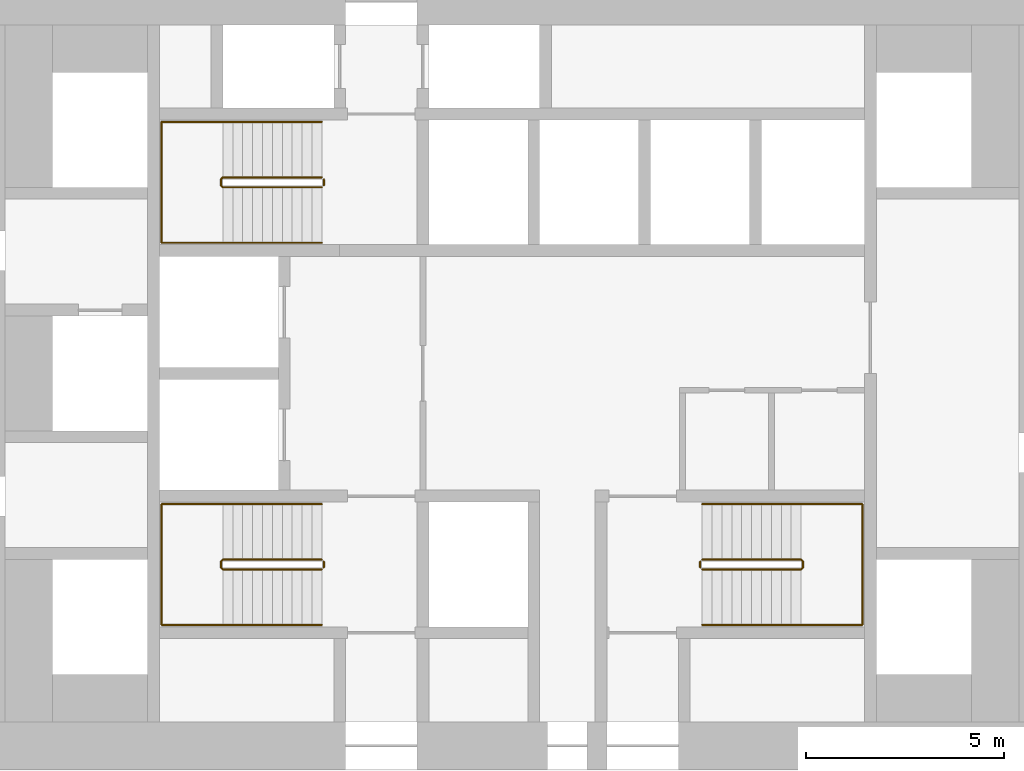
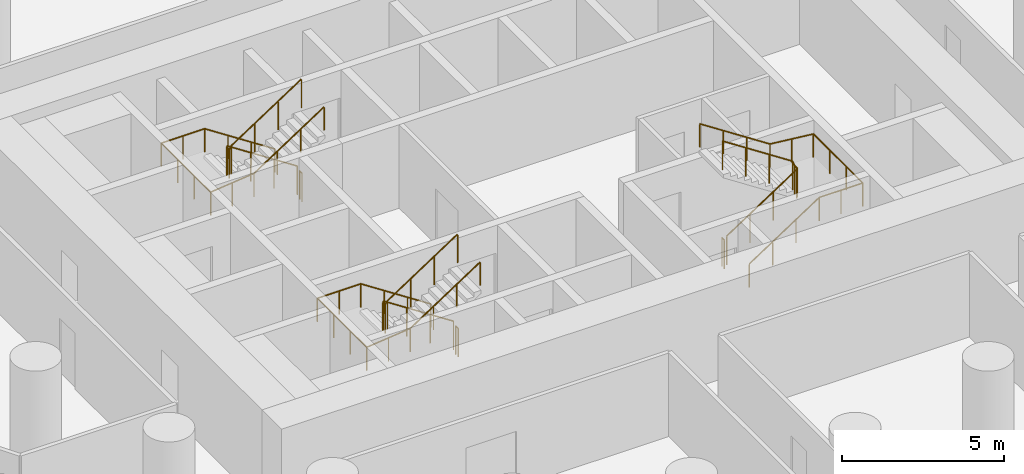
# One storey, part 12 of 12: 9 railings.
"""IFC4 building model written with IfcOpenShell, lengths in metres."""

import ifcopenshell
import ifcopenshell.guid

model = None  # the IFC model being written
_history = None  # IfcOwnerHistory: only IFC2X3 demands one
_inside = {}  # id of a spatial element -> (the spatial element, [elements in it])
_under = {}  # id of a project, library or spatial element -> (it, [spatial elements below it])
_declared = {}  # id of a project -> (the project, [libraries it declares])
_typed = {}  # id of a type object -> (the type object, [elements of that type])
_made_of = {}  # id of a material, layer set ... -> (it, [elements and type objects made of it])


def new_model(schema):
    """Start an empty IFC model of exactly this schema.

    Asked for "IFC4X3", IfcOpenShell would pick the latest addendum, in which some entities
    have other attributes; the version numbers below select the first issue.
    IFC2X3 requires an IfcOwnerHistory on every rooted entity: one is made here for all.
    """
    global model, _history
    if schema == "IFC4X3":
        model = ifcopenshell.file(schema_version=(4, 3, 0, 0))
    else:
        model = ifcopenshell.file(schema=schema)
    _inside.clear()
    _under.clear()
    _declared.clear()
    _typed.clear()
    _made_of.clear()
    _history = None
    if model.schema == "IFC2X3":
        org = make("IfcOrganization", Name="unknown")
        user = make(
            "IfcPersonAndOrganization",
            ThePerson=make("IfcPerson", FamilyName="unknown"),
            TheOrganization=org,
        )
        app = make(
            "IfcApplication",
            ApplicationDeveloper=org,
            Version="unknown",
            ApplicationFullName="unknown",
            ApplicationIdentifier="unknown",
        )
        _history = make(
            "IfcOwnerHistory",
            OwningUser=user,
            OwningApplication=app,
            ChangeAction="ADDED",
            CreationDate=0,
        )
    return model


def make(cls, **values):
    """One entity of the class cls with the attributes given. An attribute that is None is left unset."""
    return model.create_entity(
        cls, **{name: value for name, value in values.items() if value is not None}
    )


def rooted(cls, **values):
    """An entity with a GlobalId (a new one), such as an element, a storey or a relation."""
    return make(cls, GlobalId=ifcopenshell.guid.new(), OwnerHistory=_history, **values)


def si_unit(unit_type, name, prefix=None):
    """IfcSIUnit, for example si_unit("LENGTHUNIT", "METRE", prefix="MILLI")."""
    return make("IfcSIUnit", UnitType=unit_type, Prefix=prefix, Name=name)


def assignment(units):
    """IfcUnitAssignment: the units of a project."""
    return None if units is None else make("IfcUnitAssignment", Units=units)


def point(xyz):
    """IfcCartesianPoint."""
    return None if xyz is None else make("IfcCartesianPoint", Coordinates=xyz)


def direction(xyz):
    """IfcDirection."""
    return None if xyz is None else make("IfcDirection", DirectionRatios=xyz)


def frame(location, z_axis=None, x_axis=None):
    """IfcAxis2Placement3D, a coordinate frame: its origin and axes. An axis left out is left unset."""
    return make(
        "IfcAxis2Placement3D",
        Location=point(location),
        Axis=direction(z_axis),
        RefDirection=direction(x_axis),
    )


def frame_2d(location, x_axis=None):
    """IfcAxis2Placement2D, a coordinate frame in the plane: its origin and x axis."""
    return make(
        "IfcAxis2Placement2D", Location=point(location), RefDirection=direction(x_axis)
    )


def origin():
    """The frame at (0, 0, 0) with its axes left unset."""
    return frame((0.0, 0.0, 0.0))


def origin_2d():
    """The frame at (0, 0) in the plane with its x axis left unset."""
    return frame_2d((0.0, 0.0))


def place(relative_to, where):
    """IfcLocalPlacement: puts the frame where relative to a parent placement (None: the world)."""
    return make(
        "IfcLocalPlacement", PlacementRelTo=relative_to, RelativePlacement=where
    )


def context(
    kind, dimensions, precision=None, world=None, true_north=None, identifier=None
):
    """IfcGeometricRepresentationContext, for example the 3D "Model" context."""
    return make(
        "IfcGeometricRepresentationContext",
        ContextIdentifier=identifier,
        ContextType=kind,
        CoordinateSpaceDimension=dimensions,
        Precision=precision,
        WorldCoordinateSystem=world,
        TrueNorth=true_north,
    )


def subcontext(parent, identifier, kind, view, scale=None):
    """IfcGeometricRepresentationSubContext, for example "Body" below "Model"."""
    return make(
        "IfcGeometricRepresentationSubContext",
        ContextIdentifier=identifier,
        ContextType=kind,
        ParentContext=parent,
        TargetScale=scale,
        TargetView=view,
    )


def project(units=None, contexts=None):
    """IfcProject with its units and contexts."""
    return rooted(
        "IfcProject",
        Name="project",
        RepresentationContexts=contexts,
        UnitsInContext=assignment(units),
    )


def spatial(cls, under=None, at=None, **own):
    """A site, building, storey or space (cls), placed at a placement, below another one or the project."""
    s = rooted(cls, ObjectPlacement=at, **own)
    if under is not None:
        _under.setdefault(under.id(), (under, []))[1].append(s)
    return s


def profile(cls, at=None, kind="AREA", **sizes):
    """A parametric profile (cls). Its sizes go by their IFC names, for example OverallWidth=200.0."""
    return make(cls, ProfileType=kind, Position=at, **sizes)


def circle(**sizes):
    """IfcCircleProfileDef."""
    return profile("IfcCircleProfileDef", **sizes)


def extrude(swept, where, along, depth):
    """IfcExtrudedAreaSolid: the profile swept, set in the frame where, extruded along a direction by depth."""
    return make(
        "IfcExtrudedAreaSolid",
        SweptArea=swept,
        Position=where,
        ExtrudedDirection=direction(along),
        Depth=depth,
    )


def shape(context_of_items, identifier, shape_type, items):
    """IfcShapeRepresentation: the items that make up one representation, for example the "Body"."""
    return make(
        "IfcShapeRepresentation",
        ContextOfItems=context_of_items,
        RepresentationIdentifier=identifier,
        RepresentationType=shape_type,
        Items=items,
    )


def material(Name=None, Category=None):
    """IfcMaterial."""
    return make("IfcMaterial", Name=Name, Category=Category)


def made_of(thing, what):
    """Note that an element or type object is made of a material, layer set ...; save() writes the relation."""
    if what is not None:
        _made_of.setdefault(what.id(), (what, []))[1].append(thing)
    return thing


def type_object(cls, material=None, **own):
    """A type object (cls), such as IfcWallType, which elements share."""
    return made_of(rooted(cls, **own), material)


def element(
    cls,
    number,
    at=None,
    inside=None,
    cuts=None,
    type_object=None,
    material=None,
    context=None,
    identifier="Body",
    shape_type=None,
    held_by="IfcProductDefinitionShape",
    body=None,
    shapes=None,
    **own,
):
    """One element of the class cls, such as IfcWall. Its Tag is "e" and its number.

    at: its placement. inside: the storey or other place that contains it. cuts: it is an
    opening in that element (IfcRelVoidsElement). A single representation is given by context,
    identifier, shape_type and body (its items); several are given by shapes. held_by: the class
    of the entity that holds the representations. save() writes the other relations.
    """
    e = rooted(cls, Tag="e%d" % number, ObjectPlacement=at, **own)
    if body is not None:
        shapes = [shape(context, identifier, shape_type, body)]
    if shapes is not None:
        e.Representation = make(held_by, Representations=shapes)
    if inside is not None:
        _inside.setdefault(inside.id(), (inside, []))[1].append(e)
    if cuts is not None:
        rooted(
            "IfcRelVoidsElement", RelatingBuildingElement=cuts, RelatedOpeningElement=e
        )
    if type_object is not None:
        _typed.setdefault(type_object.id(), (type_object, []))[1].append(e)
    return made_of(e, material)


def aggregate(whole, parts):
    """IfcRelAggregates: a whole, such as a stair, and the parts it consists of."""
    return rooted("IfcRelAggregates", RelatingObject=whole, RelatedObjects=parts)


def save(model, path):
    """Write the relations noted so far, then the file.

    IfcRelAggregates (storeys below a building ...), IfcRelContainedInSpatialStructure (elements
    in a storey), IfcRelDefinesByType, IfcRelAssociatesMaterial and IfcRelDeclares: one each for
    every whole, place, type object, material and project.
    """
    for whole, parts in _under.values():
        aggregate(whole, parts)
    for where, things in _inside.values():
        rooted(
            "IfcRelContainedInSpatialStructure",
            RelatedElements=things,
            RelatingStructure=where,
        )
    for kind, things in _typed.values():
        rooted("IfcRelDefinesByType", RelatedObjects=things, RelatingType=kind)
    for what, things in _made_of.values():
        rooted("IfcRelAssociatesMaterial", RelatedObjects=things, RelatingMaterial=what)
    for by, libraries in _declared.values():
        rooted("IfcRelDeclares", RelatingContext=by, RelatedDefinitions=libraries)
    model.write(path)


model = new_model("IFC4")

# Units and contexts
model_context = context("Model", 3, precision=1e-05, world=origin(), true_north=direction((0.0, 1.0)))
body_context = subcontext(model_context, "Body", "Model", "MODEL_VIEW")
ifc_project = project(units=[si_unit("LENGTHUNIT", "METRE"), si_unit("AREAUNIT", "SQUARE_METRE"), si_unit("VOLUMEUNIT", "CUBIC_METRE"), si_unit("PLANEANGLEUNIT", "RADIAN"), si_unit("MASSUNIT", "GRAM", prefix="KILO")], contexts=[model_context])

# Site, building, storey
site_placement = place(None, origin())
site = spatial("IfcSite", under=ifc_project, at=site_placement, CompositionType="ELEMENT")
building_placement = place(site_placement, origin())
building = spatial("IfcBuilding", under=site, at=building_placement, Name="Tracery Tower", CompositionType="ELEMENT")
storey_placement = place(building_placement, frame((0.0, 0.0, 35.39990234375)))
storey = spatial("IfcBuildingStorey", under=building, at=storey_placement, Name="L07", CompositionType="ELEMENT", Elevation=35.39990234375)

# Railings
ifc_material_1 = material(Name="Stainless steel and laminated glass", Category="steel")
railing_type_1 = type_object("IfcRailingType", Name="Stair guard 1100", PredefinedType="GUARDRAIL", material=ifc_material_1)
railing_1_placement = place(storey_placement, frame((-4.800048828125, -4.699951171875, 0.163818359375)))
element("IfcRailing", 1, at=railing_1_placement, inside=storey, type_object=railing_type_1, Name="L07 stair ST1 guard 1", PredefinedType="GUARDRAIL", context=body_context, shape_type="SweptSolid", body=[
    extrude(circle(Radius=0.02392578125, at=origin_2d()), frame((0.0, 0.0, 1.076171875), z_axis=(-0.836721939367, 0.0, 0.547627972425), x_axis=(0.0, -1.0, 0.0)), (0.0, 0.0, 1.0), 2.98779296875),
    extrude(circle(Radius=0.02392578125, at=origin_2d()), frame((-2.5, 0.0, 2.71240234375), z_axis=(-0.707106781187, -0.707106781187, 0.0), x_axis=(0.707106781187, -0.707106781187, 0.0)), (0.0, 0.0, 1.0), 0.07080078125),
    extrude(circle(Radius=0.02392578125, at=origin_2d()), frame((-2.550048828125, -0.050048828125, 2.71240234375), z_axis=(0.0, -1.0, 0.0), x_axis=(1.0, 0.0, 0.0)), (0.0, 0.0, 1.0), 0.14990234375),
    extrude(circle(Radius=0.02392578125, at=origin_2d()), frame((-2.550048828125, -0.199951171875, 2.71240234375), z_axis=(0.280808744504, -0.280808744504, 0.917765164963), x_axis=(0.707106781187, 0.707106781187, 0.0)), (0.0, 0.0, 1.0), 0.17822265625),
    extrude(circle(Radius=0.02392578125, at=origin_2d()), frame((-2.5, -0.25, 2.8759765625), z_axis=(0.83668449804, 0.0, 0.54768517484), x_axis=(0.0, 1.0, 0.0)), (0.0, 0.0, 1.0), 2.988037109375),
    extrude(circle(Radius=0.02099609375, at=origin_2d()), origin(), (0.0, 0.0, 1.0), 1.052001953125),
    extrude(circle(Radius=0.02099609375, at=origin_2d()), frame((-0.833251953125, 0.0, 0.54541015625)), (0.0, 0.0, 1.0), 1.052001953125),
    extrude(circle(Radius=0.02099609375, at=origin_2d()), frame((-1.666748046875, 0.0, 1.0908203125)), (0.0, 0.0, 1.0), 1.052001953125),
    extrude(circle(Radius=0.02099609375, at=origin_2d()), frame((-2.5, 0.0, 1.63623046875)), (0.0, 0.0, 1.0), 1.052001953125),
    extrude(circle(Radius=0.02099609375, at=origin_2d()), frame((-2.550048828125, -0.050048828125, 1.63623046875)), (0.0, 0.0, 1.0), 1.052001953125),
    extrude(circle(Radius=0.02099609375, at=origin_2d()), frame((-2.550048828125, -0.199951171875, 1.63623046875)), (0.0, 0.0, 1.0), 1.052001953125),
    extrude(circle(Radius=0.02099609375, at=origin_2d()), frame((-2.5, -0.25, 1.7998046875)), (0.0, 0.0, 1.0), 1.052001953125),
    extrude(circle(Radius=0.02099609375, at=origin_2d()), frame((-1.666748046875, -0.25, 2.34521484375)), (0.0, 0.0, 1.0), 1.052001953125),
    extrude(circle(Radius=0.02099609375, at=origin_2d()), frame((-0.833251953125, -0.25, 2.890869140625)), (0.0, 0.0, 1.0), 1.052001953125),
    extrude(circle(Radius=0.02099609375, at=origin_2d()), frame((0.0, -0.25, 3.436279296875)), (0.0, 0.0, 1.0), 1.052001953125),
])
railing_2_placement = place(storey_placement, frame((-4.75, -4.75, 0.0)))
element("IfcRailing", 2, at=railing_2_placement, inside=storey, type_object=railing_type_1, Name="L07 stair ST1 guard 2", PredefinedType="GUARDRAIL", context=body_context, shape_type="SweptSolid", body=[
    extrude(circle(Radius=0.02392578125, at=origin_2d()), frame((0.0, 0.0, 1.076171875), z_axis=(0.0, -1.0, 0.0), x_axis=(1.0, 0.0, 0.0)), (0.0, 0.0, 1.0), 0.14990234375),
    extrude(circle(Radius=0.02099609375, at=origin_2d()), origin(), (0.0, 0.0, 1.0), 1.052001953125),
    extrude(circle(Radius=0.02099609375, at=origin_2d()), frame((0.0, -0.14990234375, 0.0)), (0.0, 0.0, 1.0), 1.052001953125),
])
railing_3_placement = place(storey_placement, frame((-4.800048828125, 4.949951171875, 0.163818359375)))
element("IfcRailing", 3, at=railing_3_placement, inside=storey, type_object=railing_type_1, Name="L07 stair ST3 guard 1", PredefinedType="GUARDRAIL", context=body_context, shape_type="SweptSolid", body=[
    extrude(circle(Radius=0.02392578125, at=origin_2d()), frame((0.0, 0.0, 1.076171875), z_axis=(-0.836721939367, 0.0, 0.547627972425), x_axis=(0.0, -1.0, 0.0)), (0.0, 0.0, 1.0), 2.98779296875),
    extrude(circle(Radius=0.02392578125, at=origin_2d()), frame((-2.5, 0.0, 2.71240234375), z_axis=(-0.707106781187, -0.707106781187, 0.0), x_axis=(0.707106781187, -0.707106781187, 0.0)), (0.0, 0.0, 1.0), 0.07080078125),
    extrude(circle(Radius=0.02392578125, at=origin_2d()), frame((-2.550048828125, -0.050048828125, 2.71240234375), z_axis=(0.0, -1.0, 0.0), x_axis=(1.0, 0.0, 0.0)), (0.0, 0.0, 1.0), 0.14990234375),
    extrude(circle(Radius=0.02392578125, at=origin_2d()), frame((-2.550048828125, -0.199951171875, 2.71240234375), z_axis=(0.280808744504, -0.280808744504, 0.917765164963), x_axis=(0.707106781187, 0.707106781187, 0.0)), (0.0, 0.0, 1.0), 0.17822265625),
    extrude(circle(Radius=0.02392578125, at=origin_2d()), frame((-2.5, -0.25, 2.8759765625), z_axis=(0.83668449804, 0.0, 0.54768517484), x_axis=(0.0, 1.0, 0.0)), (0.0, 0.0, 1.0), 2.988037109375),
    extrude(circle(Radius=0.02099609375, at=origin_2d()), origin(), (0.0, 0.0, 1.0), 1.052001953125),
    extrude(circle(Radius=0.02099609375, at=origin_2d()), frame((-0.833251953125, 0.0, 0.54541015625)), (0.0, 0.0, 1.0), 1.052001953125),
    extrude(circle(Radius=0.02099609375, at=origin_2d()), frame((-1.666748046875, 0.0, 1.0908203125)), (0.0, 0.0, 1.0), 1.052001953125),
    extrude(circle(Radius=0.02099609375, at=origin_2d()), frame((-2.5, 0.0, 1.63623046875)), (0.0, 0.0, 1.0), 1.052001953125),
    extrude(circle(Radius=0.02099609375, at=origin_2d()), frame((-2.550048828125, -0.050048828125, 1.63623046875)), (0.0, 0.0, 1.0), 1.052001953125),
    extrude(circle(Radius=0.02099609375, at=origin_2d()), frame((-2.550048828125, -0.199951171875, 1.63623046875)), (0.0, 0.0, 1.0), 1.052001953125),
    extrude(circle(Radius=0.02099609375, at=origin_2d()), frame((-2.5, -0.25, 1.7998046875)), (0.0, 0.0, 1.0), 1.052001953125),
    extrude(circle(Radius=0.02099609375, at=origin_2d()), frame((-1.666748046875, -0.25, 2.34521484375)), (0.0, 0.0, 1.0), 1.052001953125),
    extrude(circle(Radius=0.02099609375, at=origin_2d()), frame((-0.833251953125, -0.25, 2.890869140625)), (0.0, 0.0, 1.0), 1.052001953125),
    extrude(circle(Radius=0.02099609375, at=origin_2d()), frame((0.0, -0.25, 3.436279296875)), (0.0, 0.0, 1.0), 1.052001953125),
])
railing_4_placement = place(storey_placement, frame((-4.75, 4.89990234375, 0.0)))
element("IfcRailing", 4, at=railing_4_placement, inside=storey, type_object=railing_type_1, Name="L07 stair ST3 guard 2", PredefinedType="GUARDRAIL", context=body_context, shape_type="SweptSolid", body=[
    extrude(circle(Radius=0.02392578125, at=origin_2d()), frame((0.0, 0.0, 1.076171875), z_axis=(0.0, -1.0, 0.0), x_axis=(1.0, 0.0, 0.0)), (0.0, 0.0, 1.0), 0.14990234375),
    extrude(circle(Radius=0.02099609375, at=origin_2d()), origin(), (0.0, 0.0, 1.0), 1.052001953125),
    extrude(circle(Radius=0.02099609375, at=origin_2d()), frame((0.0, -0.14990234375, 0.0)), (0.0, 0.0, 1.0), 1.052001953125),
])
railing_5_placement = place(storey_placement, frame((4.800048828125, -4.949951171875, 0.163818359375)))
element("IfcRailing", 5, at=railing_5_placement, inside=storey, type_object=railing_type_1, Name="L07 stair ST2 guard 1", PredefinedType="GUARDRAIL", context=body_context, shape_type="SweptSolid", body=[
    extrude(circle(Radius=0.02392578125, at=origin_2d()), frame((0.0, 0.0, 1.076171875), z_axis=(0.836721939367, 0.0, 0.547627972425), x_axis=(0.0, 1.0, 0.0)), (0.0, 0.0, 1.0), 2.98779296875),
    extrude(circle(Radius=0.02392578125, at=origin_2d()), frame((2.5, 0.0, 2.71240234375), z_axis=(0.707106781187, 0.707106781187, 0.0), x_axis=(-0.707106781187, 0.707106781187, 0.0)), (0.0, 0.0, 1.0), 0.07080078125),
    extrude(circle(Radius=0.02392578125, at=origin_2d()), frame((2.550048828125, 0.050048828125, 2.71240234375), z_axis=(0.0, 1.0, 0.0), x_axis=(-1.0, 0.0, 0.0)), (0.0, 0.0, 1.0), 0.14990234375),
    extrude(circle(Radius=0.02392578125, at=origin_2d()), frame((2.550048828125, 0.199951171875, 2.71240234375), z_axis=(-0.280808744504, 0.280808744504, 0.917765164963), x_axis=(-0.707106781187, -0.707106781187, 0.0)), (0.0, 0.0, 1.0), 0.17822265625),
    extrude(circle(Radius=0.02392578125, at=origin_2d()), frame((2.5, 0.25, 2.8759765625), z_axis=(-0.83668449804, 0.0, 0.54768517484), x_axis=(0.0, -1.0, 0.0)), (0.0, 0.0, 1.0), 2.988037109375),
    extrude(circle(Radius=0.02099609375, at=origin_2d()), origin(), (0.0, 0.0, 1.0), 1.052001953125),
    extrude(circle(Radius=0.02099609375, at=origin_2d()), frame((0.833251953125, 0.0, 0.54541015625)), (0.0, 0.0, 1.0), 1.052001953125),
    extrude(circle(Radius=0.02099609375, at=origin_2d()), frame((1.666748046875, 0.0, 1.0908203125)), (0.0, 0.0, 1.0), 1.052001953125),
    extrude(circle(Radius=0.02099609375, at=origin_2d()), frame((2.5, 0.0, 1.63623046875)), (0.0, 0.0, 1.0), 1.052001953125),
    extrude(circle(Radius=0.02099609375, at=origin_2d()), frame((2.550048828125, 0.050048828125, 1.63623046875)), (0.0, 0.0, 1.0), 1.052001953125),
    extrude(circle(Radius=0.02099609375, at=origin_2d()), frame((2.550048828125, 0.199951171875, 1.63623046875)), (0.0, 0.0, 1.0), 1.052001953125),
    extrude(circle(Radius=0.02099609375, at=origin_2d()), frame((2.5, 0.25, 1.7998046875)), (0.0, 0.0, 1.0), 1.052001953125),
    extrude(circle(Radius=0.02099609375, at=origin_2d()), frame((1.666748046875, 0.25, 2.34521484375)), (0.0, 0.0, 1.0), 1.052001953125),
    extrude(circle(Radius=0.02099609375, at=origin_2d()), frame((0.833251953125, 0.25, 2.890869140625)), (0.0, 0.0, 1.0), 1.052001953125),
    extrude(circle(Radius=0.02099609375, at=origin_2d()), frame((0.0, 0.25, 3.436279296875)), (0.0, 0.0, 1.0), 1.052001953125),
])
railing_6_placement = place(storey_placement, frame((4.75, -4.89990234375, 0.0)))
element("IfcRailing", 6, at=railing_6_placement, inside=storey, type_object=railing_type_1, Name="L07 stair ST2 guard 2", PredefinedType="GUARDRAIL", context=body_context, shape_type="SweptSolid", body=[
    extrude(circle(Radius=0.02392578125, at=origin_2d()), frame((0.0, 0.0, 1.076171875), z_axis=(0.0, 1.0, 0.0), x_axis=(-1.0, 0.0, 0.0)), (0.0, 0.0, 1.0), 0.14990234375),
    extrude(circle(Radius=0.02099609375, at=origin_2d()), origin(), (0.0, 0.0, 1.0), 1.052001953125),
    extrude(circle(Radius=0.02099609375, at=origin_2d()), frame((0.0, 0.14990234375, 0.0)), (0.0, 0.0, 1.0), 1.052001953125),
])
ifc_material_2 = material(Name="Stainless steel and laminated glass", Category="steel")
railing_type_2 = type_object("IfcRailingType", Name="Stair handrail 900", PredefinedType="HANDRAIL", material=ifc_material_2)
railing_7_placement = place(storey_placement, frame((-4.800048828125, -3.300048828125, 0.163818359375)))
element("IfcRailing", 7, at=railing_7_placement, inside=storey, type_object=railing_type_2, Name="L07 stair ST1 handrail 1", PredefinedType="HANDRAIL", context=body_context, shape_type="SweptSolid", body=[
    extrude(circle(Radius=0.02392578125, at=origin_2d()), frame((0.0, 0.0, 0.8759765625), z_axis=(-0.836721939367, 0.0, 0.547627972425), x_axis=(0.0, -1.0, 0.0)), (0.0, 0.0, 1.0), 2.98779296875),
    extrude(circle(Radius=0.02392578125, at=origin_2d()), frame((-2.5, 0.0, 2.51220703125), z_axis=(-1.0, 0.0, 0.0), x_axis=(0.0, -1.0, 0.0)), (0.0, 0.0, 1.0), 1.550048828125),
    extrude(circle(Radius=0.02392578125, at=origin_2d()), frame((-4.050048828125, 0.0, 2.51220703125), z_axis=(0.0, -1.0, 0.0), x_axis=(1.0, 0.0, 0.0)), (0.0, 0.0, 1.0), 3.050048828125),
    extrude(circle(Radius=0.02392578125, at=origin_2d()), frame((-4.050048828125, -3.050048828125, 2.51220703125), z_axis=(0.994477953863, 0.0, 0.104945696817), x_axis=(0.0, 1.0, 0.0)), (0.0, 0.0, 1.0), 1.55859375),
    extrude(circle(Radius=0.02392578125, at=origin_2d()), frame((-2.5, -3.050048828125, 2.67578125), z_axis=(0.83668449804, 0.0, 0.54768517484), x_axis=(0.0, 1.0, 0.0)), (0.0, 0.0, 1.0), 2.988037109375),
    extrude(circle(Radius=0.02099609375, at=origin_2d()), origin(), (0.0, 0.0, 1.0), 0.851806640625),
    extrude(circle(Radius=0.02099609375, at=origin_2d()), frame((-0.833251953125, 0.0, 0.54541015625)), (0.0, 0.0, 1.0), 0.851806640625),
    extrude(circle(Radius=0.02099609375, at=origin_2d()), frame((-1.666748046875, 0.0, 1.0908203125)), (0.0, 0.0, 1.0), 0.851806640625),
    extrude(circle(Radius=0.02099609375, at=origin_2d()), frame((-2.5, 0.0, 1.63623046875)), (0.0, 0.0, 1.0), 0.851806640625),
    extrude(circle(Radius=0.02099609375, at=origin_2d()), frame((-3.27490234375, 0.0, 1.63623046875)), (0.0, 0.0, 1.0), 0.851806640625),
    extrude(circle(Radius=0.02099609375, at=origin_2d()), frame((-4.050048828125, 0.0, 1.63623046875)), (0.0, 0.0, 1.0), 0.851806640625),
    extrude(circle(Radius=0.02099609375, at=origin_2d()), frame((-4.050048828125, -1.0166015625, 1.63623046875)), (0.0, 0.0, 1.0), 0.851806640625),
    extrude(circle(Radius=0.02099609375, at=origin_2d()), frame((-4.050048828125, -2.033447265625, 1.63623046875)), (0.0, 0.0, 1.0), 0.851806640625),
    extrude(circle(Radius=0.02099609375, at=origin_2d()), frame((-4.050048828125, -3.050048828125, 1.63623046875)), (0.0, 0.0, 1.0), 0.851806640625),
    extrude(circle(Radius=0.02099609375, at=origin_2d()), frame((-3.27490234375, -3.050048828125, 1.718017578125)), (0.0, 0.0, 1.0), 0.851806640625),
    extrude(circle(Radius=0.02099609375, at=origin_2d()), frame((-2.5, -3.050048828125, 1.7998046875)), (0.0, 0.0, 1.0), 0.851806640625),
    extrude(circle(Radius=0.02099609375, at=origin_2d()), frame((-1.666748046875, -3.050048828125, 2.34521484375)), (0.0, 0.0, 1.0), 0.851806640625),
    extrude(circle(Radius=0.02099609375, at=origin_2d()), frame((-0.833251953125, -3.050048828125, 2.890869140625)), (0.0, 0.0, 1.0), 0.851806640625),
    extrude(circle(Radius=0.02099609375, at=origin_2d()), frame((0.0, -3.050048828125, 3.436279296875)), (0.0, 0.0, 1.0), 0.851806640625),
])
railing_8_placement = place(storey_placement, frame((-4.800048828125, 6.35009765625, 0.163818359375)))
element("IfcRailing", 8, at=railing_8_placement, inside=storey, type_object=railing_type_2, Name="L07 stair ST3 handrail 1", PredefinedType="HANDRAIL", context=body_context, shape_type="SweptSolid", body=[
    extrude(circle(Radius=0.02392578125, at=origin_2d()), frame((0.0, 0.0, 0.8759765625), z_axis=(-0.836721939367, 0.0, 0.547627972425), x_axis=(0.0, -1.0, 0.0)), (0.0, 0.0, 1.0), 2.98779296875),
    extrude(circle(Radius=0.02392578125, at=origin_2d()), frame((-2.5, 0.0, 2.51220703125), z_axis=(-1.0, 0.0, 0.0), x_axis=(0.0, -1.0, 0.0)), (0.0, 0.0, 1.0), 1.550048828125),
    extrude(circle(Radius=0.02392578125, at=origin_2d()), frame((-4.050048828125, 0.0, 2.51220703125), z_axis=(0.0, -1.0, 0.0), x_axis=(1.0, 0.0, 0.0)), (0.0, 0.0, 1.0), 3.050048828125),
    extrude(circle(Radius=0.02392578125, at=origin_2d()), frame((-4.050048828125, -3.050048828125, 2.51220703125), z_axis=(0.994477953863, 0.0, 0.104945696817), x_axis=(0.0, 1.0, 0.0)), (0.0, 0.0, 1.0), 1.55859375),
    extrude(circle(Radius=0.02392578125, at=origin_2d()), frame((-2.5, -3.050048828125, 2.67578125), z_axis=(0.83668449804, 0.0, 0.54768517484), x_axis=(0.0, 1.0, 0.0)), (0.0, 0.0, 1.0), 2.988037109375),
    extrude(circle(Radius=0.02099609375, at=origin_2d()), origin(), (0.0, 0.0, 1.0), 0.851806640625),
    extrude(circle(Radius=0.02099609375, at=origin_2d()), frame((-0.833251953125, 0.0, 0.54541015625)), (0.0, 0.0, 1.0), 0.851806640625),
    extrude(circle(Radius=0.02099609375, at=origin_2d()), frame((-1.666748046875, 0.0, 1.0908203125)), (0.0, 0.0, 1.0), 0.851806640625),
    extrude(circle(Radius=0.02099609375, at=origin_2d()), frame((-2.5, 0.0, 1.63623046875)), (0.0, 0.0, 1.0), 0.851806640625),
    extrude(circle(Radius=0.02099609375, at=origin_2d()), frame((-3.27490234375, 0.0, 1.63623046875)), (0.0, 0.0, 1.0), 0.851806640625),
    extrude(circle(Radius=0.02099609375, at=origin_2d()), frame((-4.050048828125, 0.0, 1.63623046875)), (0.0, 0.0, 1.0), 0.851806640625),
    extrude(circle(Radius=0.02099609375, at=origin_2d()), frame((-4.050048828125, -1.0166015625, 1.63623046875)), (0.0, 0.0, 1.0), 0.851806640625),
    extrude(circle(Radius=0.02099609375, at=origin_2d()), frame((-4.050048828125, -2.033447265625, 1.63623046875)), (0.0, 0.0, 1.0), 0.851806640625),
    extrude(circle(Radius=0.02099609375, at=origin_2d()), frame((-4.050048828125, -3.050048828125, 1.63623046875)), (0.0, 0.0, 1.0), 0.851806640625),
    extrude(circle(Radius=0.02099609375, at=origin_2d()), frame((-3.27490234375, -3.050048828125, 1.718017578125)), (0.0, 0.0, 1.0), 0.851806640625),
    extrude(circle(Radius=0.02099609375, at=origin_2d()), frame((-2.5, -3.050048828125, 1.7998046875)), (0.0, 0.0, 1.0), 0.851806640625),
    extrude(circle(Radius=0.02099609375, at=origin_2d()), frame((-1.666748046875, -3.050048828125, 2.34521484375)), (0.0, 0.0, 1.0), 0.851806640625),
    extrude(circle(Radius=0.02099609375, at=origin_2d()), frame((-0.833251953125, -3.050048828125, 2.890869140625)), (0.0, 0.0, 1.0), 0.851806640625),
    extrude(circle(Radius=0.02099609375, at=origin_2d()), frame((0.0, -3.050048828125, 3.436279296875)), (0.0, 0.0, 1.0), 0.851806640625),
])
railing_9_placement = place(storey_placement, frame((4.800048828125, -6.35009765625, 0.163818359375)))
element("IfcRailing", 9, at=railing_9_placement, inside=storey, type_object=railing_type_2, Name="L07 stair ST2 handrail 1", PredefinedType="HANDRAIL", context=body_context, shape_type="SweptSolid", body=[
    extrude(circle(Radius=0.02392578125, at=origin_2d()), frame((0.0, 0.0, 0.8759765625), z_axis=(0.836721939367, 0.0, 0.547627972425), x_axis=(0.0, 1.0, 0.0)), (0.0, 0.0, 1.0), 2.98779296875),
    extrude(circle(Radius=0.02392578125, at=origin_2d()), frame((2.5, 0.0, 2.51220703125), z_axis=(1.0, 0.0, 0.0), x_axis=(0.0, 1.0, 0.0)), (0.0, 0.0, 1.0), 1.550048828125),
    extrude(circle(Radius=0.02392578125, at=origin_2d()), frame((4.050048828125, 0.0, 2.51220703125), z_axis=(0.0, 1.0, 0.0), x_axis=(-1.0, 0.0, 0.0)), (0.0, 0.0, 1.0), 3.050048828125),
    extrude(circle(Radius=0.02392578125, at=origin_2d()), frame((4.050048828125, 3.050048828125, 2.51220703125), z_axis=(-0.994477953863, 0.0, 0.104945696817), x_axis=(0.0, -1.0, 0.0)), (0.0, 0.0, 1.0), 1.55859375),
    extrude(circle(Radius=0.02392578125, at=origin_2d()), frame((2.5, 3.050048828125, 2.67578125), z_axis=(-0.83668449804, 0.0, 0.54768517484), x_axis=(0.0, -1.0, 0.0)), (0.0, 0.0, 1.0), 2.988037109375),
    extrude(circle(Radius=0.02099609375, at=origin_2d()), origin(), (0.0, 0.0, 1.0), 0.851806640625),
    extrude(circle(Radius=0.02099609375, at=origin_2d()), frame((0.833251953125, 0.0, 0.54541015625)), (0.0, 0.0, 1.0), 0.851806640625),
    extrude(circle(Radius=0.02099609375, at=origin_2d()), frame((1.666748046875, 0.0, 1.0908203125)), (0.0, 0.0, 1.0), 0.851806640625),
    extrude(circle(Radius=0.02099609375, at=origin_2d()), frame((2.5, 0.0, 1.63623046875)), (0.0, 0.0, 1.0), 0.851806640625),
    extrude(circle(Radius=0.02099609375, at=origin_2d()), frame((3.27490234375, 0.0, 1.63623046875)), (0.0, 0.0, 1.0), 0.851806640625),
    extrude(circle(Radius=0.02099609375, at=origin_2d()), frame((4.050048828125, 0.0, 1.63623046875)), (0.0, 0.0, 1.0), 0.851806640625),
    extrude(circle(Radius=0.02099609375, at=origin_2d()), frame((4.050048828125, 1.0166015625, 1.63623046875)), (0.0, 0.0, 1.0), 0.851806640625),
    extrude(circle(Radius=0.02099609375, at=origin_2d()), frame((4.050048828125, 2.033447265625, 1.63623046875)), (0.0, 0.0, 1.0), 0.851806640625),
    extrude(circle(Radius=0.02099609375, at=origin_2d()), frame((4.050048828125, 3.050048828125, 1.63623046875)), (0.0, 0.0, 1.0), 0.851806640625),
    extrude(circle(Radius=0.02099609375, at=origin_2d()), frame((3.27490234375, 3.050048828125, 1.718017578125)), (0.0, 0.0, 1.0), 0.851806640625),
    extrude(circle(Radius=0.02099609375, at=origin_2d()), frame((2.5, 3.050048828125, 1.7998046875)), (0.0, 0.0, 1.0), 0.851806640625),
    extrude(circle(Radius=0.02099609375, at=origin_2d()), frame((1.666748046875, 3.050048828125, 2.34521484375)), (0.0, 0.0, 1.0), 0.851806640625),
    extrude(circle(Radius=0.02099609375, at=origin_2d()), frame((0.833251953125, 3.050048828125, 2.890869140625)), (0.0, 0.0, 1.0), 0.851806640625),
    extrude(circle(Radius=0.02099609375, at=origin_2d()), frame((0.0, 3.050048828125, 3.436279296875)), (0.0, 0.0, 1.0), 0.851806640625),
])

save(model, "model.ifc")
